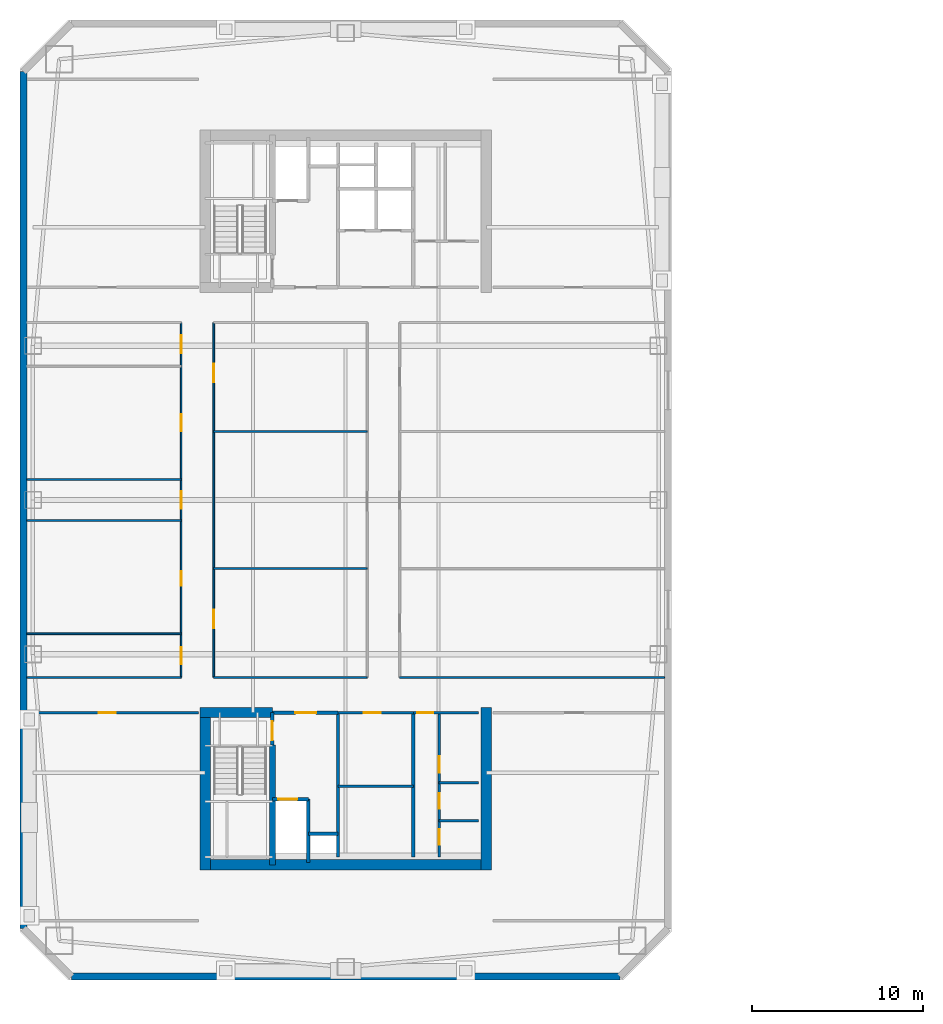
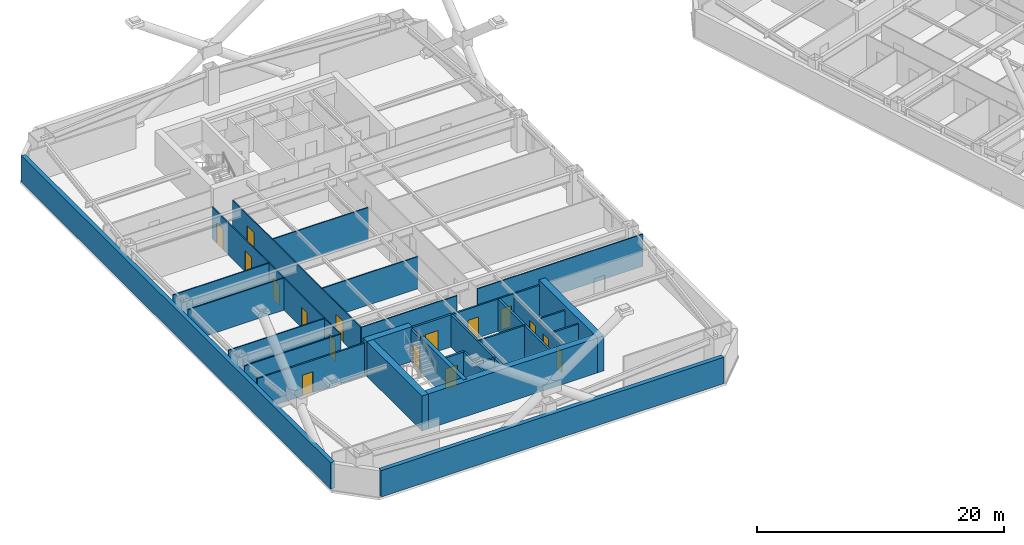
# One storey, part 6 of 14: 31 walls, 16 doors, 16 openings.
"""IFC4 building model written with IfcOpenShell, lengths in metres."""

from ifc_helpers import new_model, si_unit, direction, frame, frame_2d, origin, place, context, subcontext, project, spatial, rectangle, extrude, material, layer, layer_set, type_object, element, fill, save


model = new_model("IFC4")

# Units and contexts
model_context = context("Model", 3, precision=1e-05, world=origin(), true_north=direction((0.0, 1.0)))
body_context = subcontext(model_context, "Body", "Model", "MODEL_VIEW")
ifc_project = project(units=[si_unit("LENGTHUNIT", "METRE"), si_unit("AREAUNIT", "SQUARE_METRE"), si_unit("VOLUMEUNIT", "CUBIC_METRE"), si_unit("PLANEANGLEUNIT", "RADIAN"), si_unit("MASSUNIT", "GRAM", prefix="KILO")], contexts=[model_context])

# Site, building, storey
site_placement = place(None, origin())
site = spatial("IfcSite", under=ifc_project, at=site_placement, CompositionType="ELEMENT")
building_placement = place(site_placement, origin())
building = spatial("IfcBuilding", under=site, at=building_placement, Name="Qiaolan Cultural Towers", CompositionType="ELEMENT")
storey_placement = place(building_placement, frame((0.0, 0.0, 149.5)))
storey = spatial("IfcBuildingStorey", under=building, at=storey_placement, Name="L39", CompositionType="ELEMENT", Elevation=149.5)

# Walls
ifc_material_1 = material(Name="Concrete C50", Category="concrete")
ifc_layer_1 = layer(ifc_material_1, 0.35009765625)
ifc_layer_set_1 = layer_set([ifc_layer_1], Name="Concrete C50")
wall_type_1 = type_object("IfcWallType", Name="WL-CORE-350", PredefinedType="SHEAR", material=ifc_layer_set_1)
wall_1_placement = place(storey_placement, frame((25.719970703125, 19.699951171875, 0.0), z_axis=(0.0, 0.0, 1.0), x_axis=(0.0, -1.0, 0.0)))
element("IfcWall", 1, at=wall_1_placement, inside=storey, type_object=wall_type_1, Name="L39 T1-CS Stair Core Dividing Web", PredefinedType="SHEAR", context=body_context, shape_type="SweptSolid", body=[
    extrude(rectangle(XDim=6.97998046875, YDim=0.35009765625, at=frame_2d((3.489990234375, 0.0))), origin(), (0.0, 0.0, 1.0), 3.449951171875),
])
ifc_material_2 = material(Name="Concrete C55", Category="concrete")
ifc_layer_2 = layer(ifc_material_2, 0.60009765625)
ifc_layer_set_2 = layer_set([ifc_layer_2], Name="Concrete C55")
wall_type_2 = type_object("IfcWallType", Name="WL-CORE-600", PredefinedType="SHEAR", material=ifc_layer_set_2)
wall_2_placement = place(storey_placement, frame((21.5, 12.719970703125, 0.0), z_axis=(0.0, 0.0, 1.0), x_axis=(1.0, 0.0, 0.0)))
element("IfcWall", 2, at=wall_2_placement, inside=storey, type_object=wall_type_2, Name="L39 T1-CS Outer Core Shear Wall", PredefinedType="SHEAR", context=body_context, shape_type="SweptSolid", body=[
    extrude(rectangle(XDim=17.0, YDim=0.60009765625, at=frame_2d((8.5, 0.0))), origin(), (0.0, 0.0, 1.0), 3.449951171875),
])
for number, where, z_axis, x_axis, name in (
    (3, (21.800048828125, 21.89990234375, 0.0), (0.0, 0.0, 1.0), (0.0, -1.0, 0.0), "L39 T1-CS West Core Shear Wall"),
    (4, (38.199951171875, 21.89990234375, 0.0), (0.0, 0.0, 1.0), (0.0, -1.0, 0.0), "L39 T1-CS East Core Shear Wall"),
):
    element("IfcWall", number, at=place(storey_placement, frame(where, z_axis=z_axis, x_axis=x_axis)), inside=storey, type_object=wall_type_2, Name=name, PredefinedType="SHEAR", context=body_context, shape_type="SweptSolid", body=[
        extrude(rectangle(XDim=9.47998046875, YDim=0.60009765625, at=frame_2d((4.739990234375, 0.0))), origin(), (0.0, 0.0, 1.0), 3.449951171875),
    ])
wall_3_placement = place(storey_placement, frame((21.5, 21.60009765625, 0.0), z_axis=(0.0, 0.0, 1.0), x_axis=(1.0, 0.0, 0.0)))
element("IfcWall", 5, at=wall_3_placement, inside=storey, type_object=wall_type_2, Name="L39 T1-CS Stair Front Shear Wall", PredefinedType="SHEAR", context=body_context, shape_type="SweptSolid", body=[
    extrude(rectangle(XDim=4.219970703125, YDim=0.60009765625, at=frame_2d((2.10986328125, 0.0))), origin(), (0.0, 0.0, 1.0), 3.449951171875),
])
ifc_material_3 = material(Name="Precast Concrete C50 Honed Stone Pier", Category="masonry")
ifc_layer_3 = layer(ifc_material_3, 0.39990234375)
ifc_layer_set_3 = layer_set([ifc_layer_3], Name="Precast Concrete C50 Honed Stone Pier")
wall_type_3 = type_object("IfcWallType", Name="WL-EXT-PIER-400", PredefinedType="SOLIDWALL", material=ifc_layer_set_3)
wall_4_placement = place(storey_placement, frame((11.199951171875, 9.0, 0.0), z_axis=(0.0, 0.0, 1.0), x_axis=(0.0, 1.0, 0.0)))
element("IfcWall", 6, at=wall_4_placement, inside=storey, type_object=wall_type_3, Name="L39 West Tower Precast Pier Facade Wall F1", PredefinedType="SOLIDWALL", context=body_context, shape_type="SweptSolid", body=[
    extrude(rectangle(XDim=50.0, YDim=0.39990234375, at=frame_2d((25.0, 0.0))), origin(), (0.0, 0.0, 1.0), 2.610107421875),
])
wall_5_placement = place(storey_placement, frame((46.0, 6.199951171875, 0.0), z_axis=(0.0, 0.0, 1.0), x_axis=(-1.0, 0.0, 0.0)))
element("IfcWall", 7, at=wall_5_placement, inside=storey, type_object=wall_type_3, Name="L39 West Tower Precast Pier Facade Wall F7", PredefinedType="SOLIDWALL", context=body_context, shape_type="SweptSolid", body=[
    extrude(rectangle(XDim=32.0, YDim=0.39990234375, at=frame_2d((16.0, 0.0))), origin(), (0.0, 0.0, 1.0), 2.610107421875),
])

# Wall, opening, door
ifc_material_4 = material(Name="Concrete C35 Fire Wall", Category="concrete")
ifc_layer_4 = layer(ifc_material_4, 0.199951171875)
ifc_layer_set_4 = layer_set([ifc_layer_4], Name="Concrete C35 Fire Wall")
wall_type_4 = type_object("IfcWallType", Name="WL-FIRE-200", PredefinedType="PARTITIONING", material=ifc_layer_set_4)
wall_6_placement = place(storey_placement, frame((25.719970703125, 21.60009765625, 0.0), z_axis=(0.0, 0.0, 1.0), x_axis=(0.0, -1.0, 0.0)))
wall_6 = element("IfcWall", 8, at=wall_6_placement, inside=storey, type_object=wall_type_4, Name="L39 T1-CS Smokeproof Stair Entry Wall", PredefinedType="PARTITIONING", context=body_context, shape_type="SweptSolid", body=[
    extrude(rectangle(XDim=1.900146484375, YDim=0.199951171875, at=frame_2d((0.9501953125, 0.0))), origin(), (0.0, 0.0, 1.0), 3.175048828125),
])
opening_1_placement = place(wall_6_placement, frame((0.52001953125, 0.0, 0.0)))
opening_1 = element("IfcOpeningElement", 9, at=opening_1_placement, cuts=wall_6, Name="Opening FD-04", PredefinedType="OPENING", context=body_context, shape_type="SweptSolid", body=[
    extrude(rectangle(XDim=1.10009765625, YDim=2.050048828125, at=frame_2d((0.550048828125, 1.02490234375))), frame((0.0, 0.10986328125, 0.0), z_axis=(0.0, -1.0, 0.0), x_axis=(1.0, 0.0, 0.0)), (0.0, 0.0, 1.0), 0.219970703125),
])
ifc_material_5 = material(Name="Galvanized Steel Command Fire Door", Category="steel")
door_type_1 = type_object("IfcDoorType", Name="DR-FD90-1100", OperationType="NOTDEFINED", PredefinedType="DOOR", material=ifc_material_5)
door_1_placement = place(opening_1_placement, origin())
door_1 = element("IfcDoor", 10, at=door_1_placement, inside=storey, type_object=door_type_1, Name="L39 ST-W1 Smokeproof Stair Fire Door", OperationType="SINGLE_SWING_LEFT", OverallHeight=2.050048828125, OverallWidth=1.10009765625, PredefinedType="DOOR", context=body_context, shape_type="SweptSolid", body=[
    extrude(rectangle(XDim=1.10009765625, YDim=2.050048828125, at=frame_2d((0.550048828125, 1.02490234375))), frame((0.0, 0.02490234375, 0.0), z_axis=(0.0, -1.0, 0.0), x_axis=(1.0, 0.0, 0.0)), (0.0, 0.0, 1.0), 0.050048828125),
])
fill(opening_1, door_1)

# Wall
wall_7_placement = place(storey_placement, frame((29.550048828125, 21.60009765625, 0.0), z_axis=(0.0, 0.0, 1.0), x_axis=(0.0, -1.0, 0.0)))
element("IfcWall", 11, at=wall_7_placement, inside=storey, type_object=wall_type_4, Name="L39 T1-CS Firefighting Zone Wall", PredefinedType="PARTITIONING", context=body_context, shape_type="SweptSolid", body=[
    extrude(rectangle(XDim=8.43017578125, YDim=0.199951171875, at=frame_2d((4.215087890625, 0.0))), origin(), (0.0, 0.0, 1.0), 3.175048828125),
])

# Wall, opening, door
wall_8_placement = place(storey_placement, frame((25.719970703125, 21.60009765625, 0.0), z_axis=(0.0, 0.0, 1.0), x_axis=(1.0, 0.0, 0.0)))
wall_8 = element("IfcWall", 12, at=wall_8_placement, inside=storey, type_object=wall_type_4, Name="L39 T1-CS Firefighting Lobby Front Wall", PredefinedType="PARTITIONING", context=body_context, shape_type="SweptSolid", body=[
    extrude(rectangle(XDim=3.830078125, YDim=0.199951171875, at=frame_2d((1.9150390625, 0.0))), origin(), (0.0, 0.0, 1.0), 3.175048828125),
])
opening_2_placement = place(wall_8_placement, frame((1.35009765625, 0.0, 0.0)))
opening_2 = element("IfcOpeningElement", 13, at=opening_2_placement, cuts=wall_8, Name="Opening FD-03", PredefinedType="OPENING", context=body_context, shape_type="SweptSolid", body=[
    extrude(rectangle(XDim=1.199951171875, YDim=2.050048828125, at=frame_2d((0.60009765625, 1.02490234375))), frame((0.0, 0.10986328125, 0.0), z_axis=(0.0, -1.0, 0.0), x_axis=(1.0, 0.0, 0.0)), (0.0, 0.0, 1.0), 0.219970703125),
])
ifc_material_6 = material(Name="Galvanized Steel Smokeproof Lobby Fire Door", Category="steel")
door_type_2 = type_object("IfcDoorType", Name="DR-FD90-1200", OperationType="NOTDEFINED", PredefinedType="DOOR", material=ifc_material_6)
door_2_placement = place(opening_2_placement, origin())
door_2 = element("IfcDoor", 14, at=door_2_placement, inside=storey, type_object=door_type_2, Name="L39 FFL-W1 Firefighting Lobby Fire Door", OperationType="SINGLE_SWING_LEFT", OverallHeight=2.050048828125, OverallWidth=1.199951171875, PredefinedType="DOOR", context=body_context, shape_type="SweptSolid", body=[
    extrude(rectangle(XDim=1.199951171875, YDim=2.050048828125, at=frame_2d((0.60009765625, 1.02490234375))), frame((0.0, 0.02490234375, 0.0), z_axis=(0.0, -1.0, 0.0), x_axis=(1.0, 0.0, 0.0)), (0.0, 0.0, 1.0), 0.050048828125),
])
fill(opening_2, door_2)

wall_9_placement = place(storey_placement, frame((25.719970703125, 16.550048828125, 0.0), z_axis=(0.0, 0.0, 1.0), x_axis=(1.0, 0.0, 0.0)))
wall_9 = element("IfcWall", 15, at=wall_9_placement, inside=storey, type_object=wall_type_4, Name="L39 T1-CS Firefighting Shaft Front Wall", PredefinedType="PARTITIONING", context=body_context, shape_type="SweptSolid", body=[
    extrude(rectangle(XDim=2.10009765625, YDim=0.199951171875, at=frame_2d((1.050048828125, 0.0))), origin(), (0.0, 0.0, 1.0), 3.175048828125),
])
opening_3_placement = place(wall_9_placement, frame((0.35009765625, 0.0, 0.0)))
opening_3 = element("IfcOpeningElement", 16, at=opening_3_placement, cuts=wall_9, Name="Opening LD-01", PredefinedType="OPENING", context=body_context, shape_type="SweptSolid", body=[
    extrude(rectangle(XDim=1.10009765625, YDim=2.050048828125, at=frame_2d((0.550048828125, 1.02490234375))), frame((0.0, 0.10986328125, 0.0), z_axis=(0.0, -1.0, 0.0), x_axis=(1.0, 0.0, 0.0)), (0.0, 0.0, 1.0), 0.219970703125),
])
ifc_material_7 = material(Name="Brushed Stainless Steel S30408 Centre-Parting Lift Landing Door", Category="steel")
door_type_3 = type_object("IfcDoorType", Name="DR-LIFT-1100", OperationType="NOTDEFINED", PredefinedType="DOOR", material=ifc_material_7)
door_3_placement = place(opening_3_placement, origin())
door_3 = element("IfcDoor", 17, at=door_3_placement, inside=storey, type_object=door_type_3, Name="L39 FFL-W1 Firefighting Lift Landing Door", OperationType="DOUBLE_DOOR_SLIDING", OverallHeight=2.050048828125, OverallWidth=1.10009765625, PredefinedType="DOOR", context=body_context, shape_type="SweptSolid", body=[
    extrude(rectangle(XDim=1.10009765625, YDim=2.050048828125, at=frame_2d((0.550048828125, 1.02490234375))), frame((0.0, 0.02490234375, 0.0), z_axis=(0.0, -1.0, 0.0), x_axis=(1.0, 0.0, 0.0)), (0.0, 0.0, 1.0), 0.050048828125),
])
fill(opening_3, door_3)

# Walls
wall_10_placement = place(storey_placement, frame((27.820068359375, 16.550048828125, 0.0), z_axis=(0.0, 0.0, 1.0), x_axis=(0.0, -1.0, 0.0)))
element("IfcWall", 18, at=wall_10_placement, inside=storey, type_object=wall_type_4, Name="L39 T1-CS Firefighting Hoistway East Wall", PredefinedType="PARTITIONING", context=body_context, shape_type="SweptSolid", body=[
    extrude(rectangle(XDim=3.699951171875, YDim=0.199951171875, at=frame_2d((1.85009765625, 0.0))), origin(), (0.0, 0.0, 1.0), 3.175048828125),
])
wall_11_placement = place(storey_placement, frame((27.820068359375, 14.52001953125, 0.0), z_axis=(0.0, 0.0, 1.0), x_axis=(1.0, 0.0, 0.0)))
element("IfcWall", 19, at=wall_11_placement, inside=storey, type_object=wall_type_4, Name="L39 T1-CS Pressurization Shaft Front Wall", PredefinedType="PARTITIONING", context=body_context, shape_type="SweptSolid", body=[
    extrude(rectangle(XDim=1.72998046875, YDim=0.199951171875, at=frame_2d((0.864990234375, 0.0))), origin(), (0.0, 0.0, 1.0), 3.175048828125),
])
wall_12_placement = place(storey_placement, frame((33.949951171875, 21.60009765625, 0.0), z_axis=(0.0, 0.0, 1.0), x_axis=(0.0, -1.0, 0.0)))
element("IfcWall", 20, at=wall_12_placement, inside=storey, type_object=wall_type_4, Name="L39 T1-CS Lift Core East Wall", PredefinedType="PARTITIONING", context=body_context, shape_type="SweptSolid", body=[
    extrude(rectangle(XDim=8.43017578125, YDim=0.199951171875, at=frame_2d((4.215087890625, 0.0))), origin(), (0.0, 0.0, 1.0), 3.175048828125),
])
ifc_material_8 = material(Name="Acoustic Double-Glazed Partition Frame", Category="glass")
ifc_layer_5 = layer(ifc_material_8, 0.10009765625)
ifc_layer_set_5 = layer_set([ifc_layer_5], Name="Acoustic Double-Glazed Partition Frame")
wall_type_5 = type_object("IfcWallType", Name="WL-GLAZED-100", PredefinedType="MOVABLE", material=ifc_layer_set_5)
wall_13_placement = place(storey_placement, frame((11.39990234375, 23.64990234375, 0.0), z_axis=(0.0, 0.0, 1.0), x_axis=(1.0, 0.0, 0.0)))
element("IfcWall", 21, at=wall_13_placement, inside=storey, type_object=wall_type_5, Name="L39 T1 Interior Wall", PredefinedType="MOVABLE", context=body_context, shape_type="SweptSolid", body=[
    extrude(rectangle(XDim=9.0, YDim=0.10009765625, at=frame_2d((4.5, 0.0))), origin(), (0.0, 0.0, 1.0), 3.175048828125),
])
wall_14_placement = place(storey_placement, frame((22.300048828125, 23.64990234375, 0.0), z_axis=(0.0, 0.0, 1.0), x_axis=(1.0, 0.0, 0.0)))
element("IfcWall", 22, at=wall_14_placement, inside=storey, type_object=wall_type_5, Name="L39 T1 Interior Wall", PredefinedType="MOVABLE", context=body_context, shape_type="SweptSolid", body=[
    extrude(rectangle(XDim=8.949951171875, YDim=0.10009765625, at=frame_2d((4.47509765625, 0.0))), origin(), (0.0, 0.0, 1.0), 3.175048828125),
])
wall_15_placement = place(storey_placement, frame((33.14990234375, 23.64990234375, 0.0), z_axis=(0.0, 0.0, 1.0), x_axis=(1.0, 0.0, 0.0)))
element("IfcWall", 23, at=wall_15_placement, inside=storey, type_object=wall_type_5, Name="L39 T1 Interior Wall", PredefinedType="MOVABLE", context=body_context, shape_type="SweptSolid", body=[
    extrude(rectangle(XDim=15.4501953125, YDim=0.10009765625, at=frame_2d((7.72509765625, 0.0))), origin(), (0.0, 0.0, 1.0), 3.175048828125),
])

# Wall, openings, doors
wall_16_placement = place(storey_placement, frame((20.39990234375, 23.64990234375, 0.0), z_axis=(0.0, 0.0, 1.0), x_axis=(0.0, 1.0, 0.0)))
wall_16 = element("IfcWall", 24, at=wall_16_placement, inside=storey, type_object=wall_type_5, Name="L39 T1 Interior Wall", PredefinedType="MOVABLE", context=body_context, shape_type="SweptSolid", body=[
    extrude(rectangle(XDim=20.7001953125, YDim=0.10009765625, at=frame_2d((10.35009765625, 0.0))), origin(), (0.0, 0.0, 1.0), 3.175048828125),
])
opening_4_placement = place(wall_16_placement, frame((0.77490234375, 0.0, 0.0)))
opening_4 = element("IfcOpeningElement", 25, at=opening_4_placement, cuts=wall_16, Name="Opening ID-04", PredefinedType="OPENING", context=body_context, shape_type="SweptSolid", body=[
    extrude(rectangle(XDim=1.0, YDim=2.050048828125, at=frame_2d((0.5, 1.02490234375))), frame((0.0, 0.06005859375, 0.0), z_axis=(0.0, -1.0, 0.0), x_axis=(1.0, 0.0, 0.0)), (0.0, 0.0, 1.0), 0.1201171875),
])
opening_5_placement = place(wall_16_placement, frame((5.35009765625, 0.0, 0.0)))
opening_5 = element("IfcOpeningElement", 26, at=opening_5_placement, cuts=wall_16, Name="Opening ID-09", PredefinedType="OPENING", context=body_context, shape_type="SweptSolid", body=[
    extrude(rectangle(XDim=0.85009765625, YDim=2.050048828125, at=frame_2d((0.425048828125, 1.02490234375))), frame((0.0, 0.06005859375, 0.0), z_axis=(0.0, -1.0, 0.0), x_axis=(1.0, 0.0, 0.0)), (0.0, 0.0, 1.0), 0.1201171875),
])
opening_6_placement = place(wall_16_placement, frame((9.85009765625, 0.0, 0.0)))
opening_6 = element("IfcOpeningElement", 27, at=opening_6_placement, cuts=wall_16, Name="Opening ID-04", PredefinedType="OPENING", context=body_context, shape_type="SweptSolid", body=[
    extrude(rectangle(XDim=1.0, YDim=2.050048828125, at=frame_2d((0.5, 1.02490234375))), frame((0.0, 0.06005859375, 0.0), z_axis=(0.0, -1.0, 0.0), x_axis=(1.0, 0.0, 0.0)), (0.0, 0.0, 1.0), 0.1201171875),
])
opening_7_placement = place(wall_16_placement, frame((14.35009765625, 0.0, 0.0)))
opening_7 = element("IfcOpeningElement", 28, at=opening_7_placement, cuts=wall_16, Name="Opening ID-04", PredefinedType="OPENING", context=body_context, shape_type="SweptSolid", body=[
    extrude(rectangle(XDim=1.0, YDim=2.050048828125, at=frame_2d((0.5, 1.02490234375))), frame((0.0, 0.06005859375, 0.0), z_axis=(0.0, -1.0, 0.0), x_axis=(1.0, 0.0, 0.0)), (0.0, 0.0, 1.0), 0.1201171875),
])
opening_8_placement = place(wall_16_placement, frame((18.925048828125, 0.0, 0.0)))
opening_8 = element("IfcOpeningElement", 29, at=opening_8_placement, cuts=wall_16, Name="Opening ID-07", PredefinedType="OPENING", context=body_context, shape_type="SweptSolid", body=[
    extrude(rectangle(XDim=1.050048828125, YDim=2.050048828125, at=frame_2d((0.52490234375, 1.02490234375))), frame((0.0, 0.06005859375, 0.0), z_axis=(0.0, -1.0, 0.0), x_axis=(1.0, 0.0, 0.0)), (0.0, 0.0, 1.0), 0.1201171875),
])
ifc_material_9 = material(Name="Oak Veneer Acoustic Office Door", Category="timber")
door_type_4 = type_object("IfcDoorType", Name="DR-INT-1000", OperationType="NOTDEFINED", PredefinedType="DOOR", material=ifc_material_9)
door_4_placement = place(opening_4_placement, origin())
door_4 = element("IfcDoor", 30, at=door_4_placement, inside=storey, type_object=door_type_4, Name="L39 T1 Civic Planning Office Door", OperationType="SINGLE_SWING_LEFT", OverallHeight=2.050048828125, OverallWidth=1.0, PredefinedType="DOOR", context=body_context, shape_type="SweptSolid", body=[
    extrude(rectangle(XDim=1.0, YDim=2.050048828125, at=frame_2d((0.5, 1.02490234375))), frame((0.0, 0.02490234375, 0.0), z_axis=(0.0, -1.0, 0.0), x_axis=(1.0, 0.0, 0.0)), (0.0, 0.0, 1.0), 0.050048828125),
])
fill(opening_4, door_4)
door_5_placement = place(opening_6_placement, origin())
door_5 = element("IfcDoor", 31, at=door_5_placement, inside=storey, type_object=door_type_4, Name="L39 T1 Design Review Room Door", OperationType="SINGLE_SWING_LEFT", OverallHeight=2.050048828125, OverallWidth=1.0, PredefinedType="DOOR", context=body_context, shape_type="SweptSolid", body=[
    extrude(rectangle(XDim=1.0, YDim=2.050048828125, at=frame_2d((0.5, 1.02490234375))), frame((0.0, 0.02490234375, 0.0), z_axis=(0.0, -1.0, 0.0), x_axis=(1.0, 0.0, 0.0)), (0.0, 0.0, 1.0), 0.050048828125),
])
fill(opening_6, door_5)
door_6_placement = place(opening_7_placement, origin())
door_6 = element("IfcDoor", 32, at=door_6_placement, inside=storey, type_object=door_type_4, Name="L39 T1 Design Review Room Door", OperationType="SINGLE_SWING_RIGHT", OverallHeight=2.050048828125, OverallWidth=1.0, PredefinedType="DOOR", context=body_context, shape_type="SweptSolid", body=[
    extrude(rectangle(XDim=1.0, YDim=2.050048828125, at=frame_2d((0.5, 1.02490234375))), frame((0.0, 0.02490234375, 0.0), z_axis=(0.0, -1.0, 0.0), x_axis=(1.0, 0.0, 0.0)), (0.0, 0.0, 1.0), 0.050048828125),
])
fill(opening_7, door_6)
ifc_material_10 = material(Name="Oak Veneer Consultation Door", Category="timber")
door_type_5 = type_object("IfcDoorType", Name="DR-INT-1050", OperationType="NOTDEFINED", PredefinedType="DOOR", material=ifc_material_10)
door_7_placement = place(opening_8_placement, origin())
door_7 = element("IfcDoor", 33, at=door_7_placement, inside=storey, type_object=door_type_5, Name="L39 T1 Pantry Door", OperationType="SINGLE_SWING_LEFT", OverallHeight=2.050048828125, OverallWidth=1.050048828125, PredefinedType="DOOR", context=body_context, shape_type="SweptSolid", body=[
    extrude(rectangle(XDim=1.050048828125, YDim=2.050048828125, at=frame_2d((0.52490234375, 1.02490234375))), frame((0.0, 0.02490234375, 0.0), z_axis=(0.0, -1.0, 0.0), x_axis=(1.0, 0.0, 0.0)), (0.0, 0.0, 1.0), 0.050048828125),
])
fill(opening_8, door_7)
ifc_material_11 = material(Name="Moisture-Resistant Laminate Utility Door", Category="timber")
door_type_6 = type_object("IfcDoorType", Name="DR-INT-850", OperationType="NOTDEFINED", PredefinedType="DOOR", material=ifc_material_11)
door_8_placement = place(opening_5_placement, origin())
door_8 = element("IfcDoor", 34, at=door_8_placement, inside=storey, type_object=door_type_6, Name="L39 T1 Civic Planning Office Door", OperationType="SINGLE_SWING_RIGHT", OverallHeight=2.050048828125, OverallWidth=0.85009765625, PredefinedType="DOOR", context=body_context, shape_type="SweptSolid", body=[
    extrude(rectangle(XDim=0.85009765625, YDim=2.050048828125, at=frame_2d((0.425048828125, 1.02490234375))), frame((0.0, 0.02490234375, 0.0), z_axis=(0.0, -1.0, 0.0), x_axis=(1.0, 0.0, 0.0)), (0.0, 0.0, 1.0), 0.050048828125),
])
fill(opening_5, door_8)

wall_17_placement = place(storey_placement, frame((22.300048828125, 23.64990234375, 0.0), z_axis=(0.0, 0.0, 1.0), x_axis=(0.0, 1.0, 0.0)))
wall_17 = element("IfcWall", 35, at=wall_17_placement, inside=storey, type_object=wall_type_5, Name="L39 T1 Interior Wall", PredefinedType="MOVABLE", context=body_context, shape_type="SweptSolid", body=[
    extrude(rectangle(XDim=20.7001953125, YDim=0.10009765625, at=frame_2d((10.35009765625, 0.0))), origin(), (0.0, 0.0, 1.0), 3.175048828125),
])
opening_9_placement = place(wall_17_placement, frame((2.857421875, 0.0, 0.0)))
opening_9 = element("IfcOpeningElement", 36, at=opening_9_placement, cuts=wall_17, Name="Opening ID-03", PredefinedType="OPENING", context=body_context, shape_type="SweptSolid", body=[
    extrude(rectangle(XDim=1.10009765625, YDim=2.050048828125, at=frame_2d((0.550048828125, 1.02490234375))), frame((0.0, 0.06005859375, 0.0), z_axis=(0.0, -1.0, 0.0), x_axis=(1.0, 0.0, 0.0)), (0.0, 0.0, 1.0), 0.1201171875),
])
opening_10_placement = place(wall_17_placement, frame((17.20751953125, 0.0, 0.0)))
opening_10 = element("IfcOpeningElement", 37, at=opening_10_placement, cuts=wall_17, Name="Opening ID-03", PredefinedType="OPENING", context=body_context, shape_type="SweptSolid", body=[
    extrude(rectangle(XDim=1.10009765625, YDim=2.050048828125, at=frame_2d((0.550048828125, 1.02490234375))), frame((0.0, 0.06005859375, 0.0), z_axis=(0.0, -1.0, 0.0), x_axis=(1.0, 0.0, 0.0)), (0.0, 0.0, 1.0), 0.1201171875),
])
ifc_material_12 = material(Name="Oak Veneer Solid-Core Boardroom Door", Category="timber")
door_type_7 = type_object("IfcDoorType", Name="DR-INT-1100", OperationType="NOTDEFINED", PredefinedType="DOOR", material=ifc_material_12)
door_9_placement = place(opening_9_placement, origin())
door_9 = element("IfcDoor", 38, at=door_9_placement, inside=storey, type_object=door_type_7, Name="L39 T1 Central Boardroom Door", OperationType="SINGLE_SWING_LEFT", OverallHeight=2.050048828125, OverallWidth=1.10009765625, PredefinedType="DOOR", context=body_context, shape_type="SweptSolid", body=[
    extrude(rectangle(XDim=1.10009765625, YDim=2.050048828125, at=frame_2d((0.550048828125, 1.02490234375))), frame((0.0, 0.02490234375, 0.0), z_axis=(0.0, -1.0, 0.0), x_axis=(1.0, 0.0, 0.0)), (0.0, 0.0, 1.0), 0.050048828125),
])
fill(opening_9, door_9)
door_10_placement = place(opening_10_placement, origin())
door_10 = element("IfcDoor", 39, at=door_10_placement, inside=storey, type_object=door_type_7, Name="L39 T1 Central Archive Room Door", OperationType="SINGLE_SWING_RIGHT", OverallHeight=2.050048828125, OverallWidth=1.10009765625, PredefinedType="DOOR", context=body_context, shape_type="SweptSolid", body=[
    extrude(rectangle(XDim=1.10009765625, YDim=2.050048828125, at=frame_2d((0.550048828125, 1.02490234375))), frame((0.0, 0.02490234375, 0.0), z_axis=(0.0, -1.0, 0.0), x_axis=(1.0, 0.0, 0.0)), (0.0, 0.0, 1.0), 0.050048828125),
])
fill(opening_10, door_10)

# Walls
for number, where, z_axis, x_axis, name in (
    (40, (22.300048828125, 30.0, 0.0), (0.0, 0.0, 1.0), (1.0, 0.0, 0.0), "L39 T1 Interior Wall"),
    (41, (22.300048828125, 38.0, 0.0), (0.0, 0.0, 1.0), (1.0, 0.0, 0.0), "L39 T1 Interior Wall"),
):
    element("IfcWall", number, at=place(storey_placement, frame(where, z_axis=z_axis, x_axis=x_axis)), inside=storey, type_object=wall_type_5, Name=name, PredefinedType="MOVABLE", context=body_context, shape_type="SweptSolid", body=[
        extrude(rectangle(XDim=8.949951171875, YDim=0.10009765625, at=frame_2d((4.47509765625, 0.0))), origin(), (0.0, 0.0, 1.0), 3.175048828125),
    ])
for number, where, z_axis, x_axis, name in (
    (42, (11.39990234375, 26.199951171875, 0.0), (0.0, 0.0, 1.0), (1.0, 0.0, 0.0), "L39 T1 Interior Wall"),
    (43, (11.39990234375, 32.800048828125, 0.0), (0.0, 0.0, 1.0), (1.0, 0.0, 0.0), "L39 T1 Interior Wall"),
    (44, (11.39990234375, 35.199951171875, 0.0), (0.0, 0.0, 1.0), (1.0, 0.0, 0.0), "L39 T1 Interior Wall"),
):
    element("IfcWall", number, at=place(storey_placement, frame(where, z_axis=z_axis, x_axis=x_axis)), inside=storey, type_object=wall_type_5, Name=name, PredefinedType="MOVABLE", context=body_context, shape_type="SweptSolid", body=[
        extrude(rectangle(XDim=9.0, YDim=0.10009765625, at=frame_2d((4.5, 0.0))), origin(), (0.0, 0.0, 1.0), 3.175048828125),
    ])

# Wall, opening, door
ifc_material_13 = material(Name="Autoclaved Aerated Concrete Block B06", Category="concrete")
ifc_layer_6 = layer(ifc_material_13, 0.14990234375)
ifc_layer_set_6 = layer_set([ifc_layer_6], Name="Autoclaved Aerated Concrete Block B06")
wall_type_6 = type_object("IfcWallType", Name="WL-PART-150", PredefinedType="PARTITIONING", material=ifc_layer_set_6)
wall_18_placement = place(storey_placement, frame((29.550048828125, 21.60009765625, 0.0), z_axis=(0.0, 0.0, 1.0), x_axis=(1.0, 0.0, 0.0)))
wall_18 = element("IfcWall", 45, at=wall_18_placement, inside=storey, type_object=wall_type_6, Name="L39 T1-CS Reclaimed Core Room Front Wall", PredefinedType="PARTITIONING", context=body_context, shape_type="SweptSolid", body=[
    extrude(rectangle(XDim=4.39990234375, YDim=0.14990234375, at=frame_2d((2.199951171875, 0.0))), origin(), (0.0, 0.0, 1.0), 3.175048828125),
])
opening_11_placement = place(wall_18_placement, frame((1.5, 0.0, 0.0)))
opening_11 = element("IfcOpeningElement", 46, at=opening_11_placement, cuts=wall_18, Name="Opening ID-04", PredefinedType="OPENING", context=body_context, shape_type="SweptSolid", body=[
    extrude(rectangle(XDim=1.0, YDim=2.050048828125, at=frame_2d((0.5, 1.02490234375))), frame((0.0, 0.0849609375, 0.0), z_axis=(0.0, -1.0, 0.0), x_axis=(1.0, 0.0, 0.0)), (0.0, 0.0, 1.0), 0.169921875),
])
door_11_placement = place(opening_11_placement, origin())
door_11 = element("IfcDoor", 47, at=door_11_placement, inside=storey, type_object=door_type_4, Name="L39 Focus Pod Room Door", OperationType="SINGLE_SWING_LEFT", OverallHeight=2.050048828125, OverallWidth=1.0, PredefinedType="DOOR", context=body_context, shape_type="SweptSolid", body=[
    extrude(rectangle(XDim=1.0, YDim=2.050048828125, at=frame_2d((0.5, 1.02490234375))), frame((0.0, 0.02490234375, 0.0), z_axis=(0.0, -1.0, 0.0), x_axis=(1.0, 0.0, 0.0)), (0.0, 0.0, 1.0), 0.050048828125),
])
fill(opening_11, door_11)

# Wall
wall_19_placement = place(storey_placement, frame((29.550048828125, 17.300048828125, 0.0), z_axis=(0.0, 0.0, 1.0), x_axis=(1.0, 0.0, 0.0)))
element("IfcWall", 48, at=wall_19_placement, inside=storey, type_object=wall_type_6, Name="L39 T1-CS Reclaimed Room Subdivider", PredefinedType="PARTITIONING", context=body_context, shape_type="SweptSolid", body=[
    extrude(rectangle(XDim=4.39990234375, YDim=0.14990234375, at=frame_2d((2.199951171875, 0.0))), origin(), (0.0, 0.0, 1.0), 3.175048828125),
])

# Wall, opening, door
wall_20_placement = place(storey_placement, frame((33.949951171875, 21.60009765625, 0.0), z_axis=(0.0, 0.0, 1.0), x_axis=(1.0, 0.0, 0.0)))
wall_20 = element("IfcWall", 49, at=wall_20_placement, inside=storey, type_object=wall_type_6, Name="L39 T1-CS Sanitary Core Front Wall", PredefinedType="PARTITIONING", context=body_context, shape_type="SweptSolid", body=[
    extrude(rectangle(XDim=3.800048828125, YDim=0.14990234375, at=frame_2d((1.89990234375, 0.0))), origin(), (0.0, 0.0, 1.0), 3.175048828125),
])
opening_12_placement = place(wall_20_placement, frame((0.219970703125, 0.0, 0.0)))
opening_12 = element("IfcOpeningElement", 50, at=opening_12_placement, cuts=wall_20, Name="Opening ID-05", PredefinedType="OPENING", context=body_context, shape_type="SweptSolid", body=[
    extrude(rectangle(XDim=0.949951171875, YDim=2.050048828125, at=frame_2d((0.47509765625, 1.02490234375))), frame((0.0, 0.0849609375, 0.0), z_axis=(0.0, -1.0, 0.0), x_axis=(1.0, 0.0, 0.0)), (0.0, 0.0, 1.0), 0.169921875),
])
ifc_material_14 = material(Name="Fire-Rated Laminate Accessible Core Door", Category="timber")
door_type_8 = type_object("IfcDoorType", Name="DR-INT-950", OperationType="NOTDEFINED", PredefinedType="DOOR", material=ifc_material_14)
door_12_placement = place(opening_12_placement, origin())
door_12 = element("IfcDoor", 51, at=door_12_placement, inside=storey, type_object=door_type_8, Name="L39 Sanitary Vestibule Door", OperationType="SINGLE_SWING_LEFT", OverallHeight=2.050048828125, OverallWidth=0.949951171875, PredefinedType="DOOR", context=body_context, shape_type="SweptSolid", body=[
    extrude(rectangle(XDim=0.949951171875, YDim=2.050048828125, at=frame_2d((0.47509765625, 1.02490234375))), frame((0.0, 0.02490234375, 0.0), z_axis=(0.0, -1.0, 0.0), x_axis=(1.0, 0.0, 0.0)), (0.0, 0.0, 1.0), 0.050048828125),
])
fill(opening_12, door_12)

# Wall, openings, doors
wall_21_placement = place(storey_placement, frame((35.449951171875, 21.60009765625, 0.0), z_axis=(0.0, 0.0, 1.0), x_axis=(0.0, -1.0, 0.0)))
wall_21 = element("IfcWall", 52, at=wall_21_placement, inside=storey, type_object=wall_type_6, Name="L39 T1-CS Sanitary Vestibule Wall", PredefinedType="PARTITIONING", context=body_context, shape_type="SweptSolid", body=[
    extrude(rectangle(XDim=8.43017578125, YDim=0.14990234375, at=frame_2d((4.215087890625, 0.0))), origin(), (0.0, 0.0, 1.0), 2.81494140625),
])
opening_13_placement = place(wall_21_placement, frame((2.550048828125, 0.0, 0.0)))
opening_13 = element("IfcOpeningElement", 53, at=opening_13_placement, cuts=wall_21, Name="Opening ID-05", PredefinedType="OPENING", context=body_context, shape_type="SweptSolid", body=[
    extrude(rectangle(XDim=0.949951171875, YDim=2.050048828125, at=frame_2d((0.47509765625, 1.02490234375))), frame((0.0, 0.0849609375, 0.0), z_axis=(0.0, -1.0, 0.0), x_axis=(1.0, 0.0, 0.0)), (0.0, 0.0, 1.0), 0.169921875),
])
opening_14_placement = place(wall_21_placement, frame((4.699951171875, 0.0, 0.0)))
opening_14 = element("IfcOpeningElement", 54, at=opening_14_placement, cuts=wall_21, Name="Opening ID-06", PredefinedType="OPENING", context=body_context, shape_type="SweptSolid", body=[
    extrude(rectangle(XDim=0.89990234375, YDim=2.050048828125, at=frame_2d((0.449951171875, 1.02490234375))), frame((0.0, 0.0849609375, 0.0), z_axis=(0.0, -1.0, 0.0), x_axis=(1.0, 0.0, 0.0)), (0.0, 0.0, 1.0), 0.169921875),
])
opening_15_placement = place(wall_21_placement, frame((6.800048828125, 0.0, 0.0)))
opening_15 = element("IfcOpeningElement", 55, at=opening_15_placement, cuts=wall_21, Name="Opening ID-06", PredefinedType="OPENING", context=body_context, shape_type="SweptSolid", body=[
    extrude(rectangle(XDim=0.89990234375, YDim=2.050048828125, at=frame_2d((0.449951171875, 1.02490234375))), frame((0.0, 0.0849609375, 0.0), z_axis=(0.0, -1.0, 0.0), x_axis=(1.0, 0.0, 0.0)), (0.0, 0.0, 1.0), 0.169921875),
])
ifc_material_15 = material(Name="Fire-Rated Laminate Core Service Door", Category="timber")
door_type_9 = type_object("IfcDoorType", Name="DR-INT-900", OperationType="NOTDEFINED", PredefinedType="DOOR", material=ifc_material_15)
door_13_placement = place(opening_14_placement, origin())
door_13 = element("IfcDoor", 56, at=door_13_placement, inside=storey, type_object=door_type_9, Name="L39 Men Washroom Door", OperationType="SINGLE_SWING_LEFT", OverallHeight=2.050048828125, OverallWidth=0.89990234375, PredefinedType="DOOR", context=body_context, shape_type="SweptSolid", body=[
    extrude(rectangle(XDim=0.89990234375, YDim=2.050048828125, at=frame_2d((0.449951171875, 1.02490234375))), frame((0.0, 0.02490234375, 0.0), z_axis=(0.0, -1.0, 0.0), x_axis=(1.0, 0.0, 0.0)), (0.0, 0.0, 1.0), 0.050048828125),
])
fill(opening_14, door_13)
door_14_placement = place(opening_15_placement, origin())
door_14 = element("IfcDoor", 57, at=door_14_placement, inside=storey, type_object=door_type_9, Name="L39 Women Washroom Door", OperationType="SINGLE_SWING_RIGHT", OverallHeight=2.050048828125, OverallWidth=0.89990234375, PredefinedType="DOOR", context=body_context, shape_type="SweptSolid", body=[
    extrude(rectangle(XDim=0.89990234375, YDim=2.050048828125, at=frame_2d((0.449951171875, 1.02490234375))), frame((0.0, 0.02490234375, 0.0), z_axis=(0.0, -1.0, 0.0), x_axis=(1.0, 0.0, 0.0)), (0.0, 0.0, 1.0), 0.050048828125),
])
fill(opening_15, door_14)
door_15_placement = place(opening_13_placement, origin())
door_15 = element("IfcDoor", 58, at=door_15_placement, inside=storey, type_object=door_type_8, Name="L39 Accessible Family Washroom Door", OperationType="SINGLE_SWING_LEFT", OverallHeight=2.050048828125, OverallWidth=0.949951171875, PredefinedType="DOOR", context=body_context, shape_type="SweptSolid", body=[
    extrude(rectangle(XDim=0.949951171875, YDim=2.050048828125, at=frame_2d((0.47509765625, 1.02490234375))), frame((0.0, 0.02490234375, 0.0), z_axis=(0.0, -1.0, 0.0), x_axis=(1.0, 0.0, 0.0)), (0.0, 0.0, 1.0), 0.050048828125),
])
fill(opening_13, door_15)

# Walls
for number, where, z_axis, x_axis, name in (
    (59, (35.449951171875, 17.5, 0.0), (0.0, 0.0, 1.0), (1.0, 0.0, 0.0), "L39 T1-CS Restroom Split Wall 1"),
    (60, (35.449951171875, 15.300048828125, 0.0), (0.0, 0.0, 1.0), (1.0, 0.0, 0.0), "L39 T1-CS Restroom Split Wall 2"),
):
    element("IfcWall", number, at=place(storey_placement, frame(where, z_axis=z_axis, x_axis=x_axis)), inside=storey, type_object=wall_type_6, Name=name, PredefinedType="PARTITIONING", context=body_context, shape_type="SweptSolid", body=[
        extrude(rectangle(XDim=2.300048828125, YDim=0.14990234375, at=frame_2d((1.14990234375, 0.0))), origin(), (0.0, 0.0, 1.0), 3.175048828125),
    ])

# Wall, opening, door
wall_22_placement = place(storey_placement, frame((11.39990234375, 21.60009765625, 0.0), z_axis=(0.0, 0.0, 1.0), x_axis=(1.0, 0.0, 0.0)))
wall_22 = element("IfcWall", 61, at=wall_22_placement, inside=storey, type_object=wall_type_6, Name="L39 T1 Flank Front FLK-SW", PredefinedType="PARTITIONING", context=body_context, shape_type="SweptSolid", body=[
    extrude(rectangle(XDim=10.0, YDim=0.14990234375, at=frame_2d((5.0, 0.0))), origin(), (0.0, 0.0, 1.0), 3.175048828125),
])
opening_16_placement = place(wall_22_placement, frame((4.199951171875, 0.0, 0.0)))
opening_16 = element("IfcOpeningElement", 62, at=opening_16_placement, cuts=wall_22, Name="Opening ID-04", PredefinedType="OPENING", context=body_context, shape_type="SweptSolid", body=[
    extrude(rectangle(XDim=1.0, YDim=2.050048828125, at=frame_2d((0.5, 1.02490234375))), frame((0.0, 0.0849609375, 0.0), z_axis=(0.0, -1.0, 0.0), x_axis=(1.0, 0.0, 0.0)), (0.0, 0.0, 1.0), 0.169921875),
])
door_16_placement = place(opening_16_placement, origin())
door_16 = element("IfcDoor", 63, at=door_16_placement, inside=storey, type_object=door_type_4, Name="L39 T1 Corner Studio Door", OperationType="SINGLE_SWING_LEFT", OverallHeight=2.050048828125, OverallWidth=1.0, PredefinedType="DOOR", context=body_context, shape_type="SweptSolid", body=[
    extrude(rectangle(XDim=1.0, YDim=2.050048828125, at=frame_2d((0.5, 1.02490234375))), frame((0.0, 0.02490234375, 0.0), z_axis=(0.0, -1.0, 0.0), x_axis=(1.0, 0.0, 0.0)), (0.0, 0.0, 1.0), 0.050048828125),
])
fill(opening_16, door_16)

save(model, "model.ifc")
